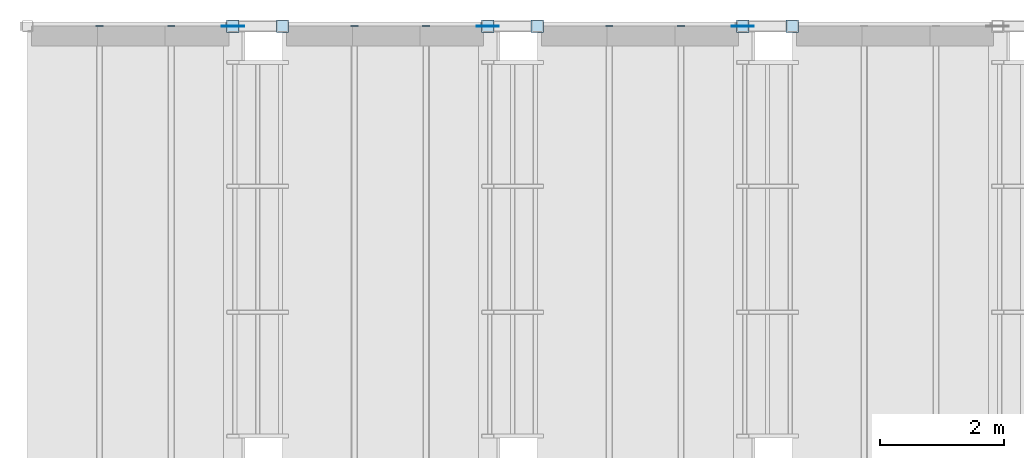
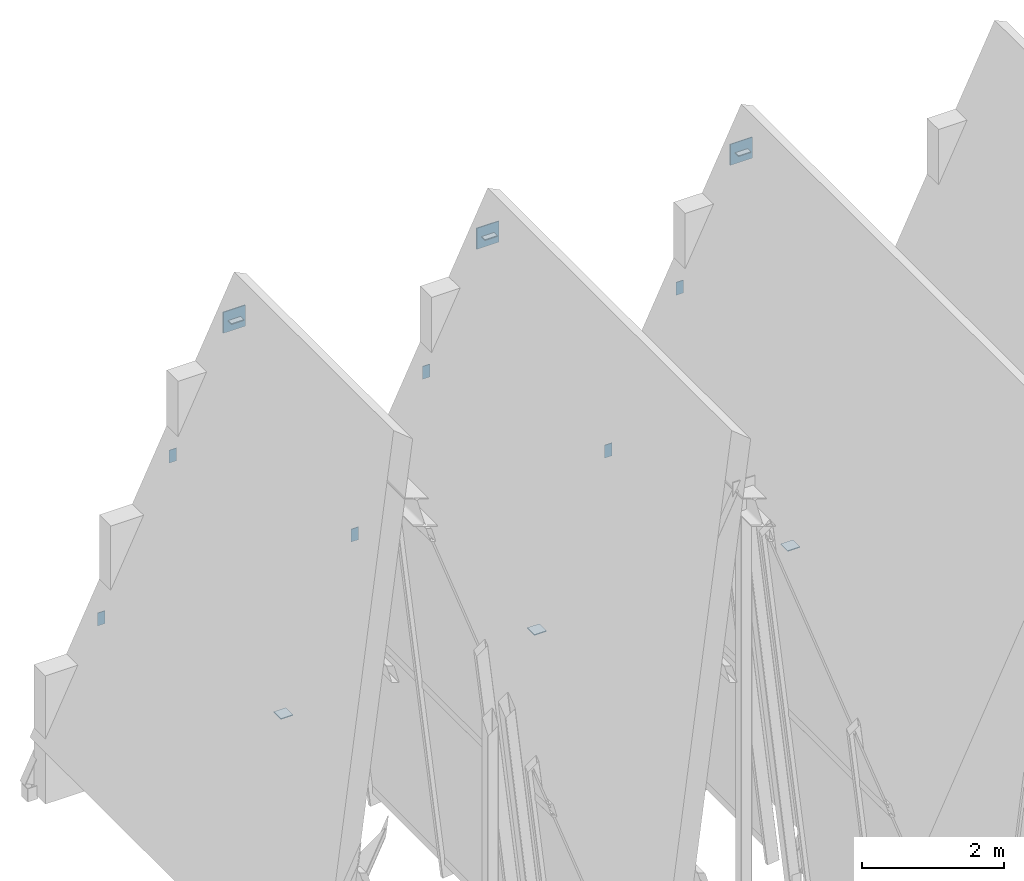
# One storey, part 24 of 28: 15 plates.
"""IFC4 building model written with IfcOpenShell, lengths in metres."""

import ifcopenshell
import ifcopenshell.guid

model = None  # the IFC model being written
_history = None  # IfcOwnerHistory: only IFC2X3 demands one
_inside = {}  # id of a spatial element -> (the spatial element, [elements in it])
_under = {}  # id of a project, library or spatial element -> (it, [spatial elements below it])
_declared = {}  # id of a project -> (the project, [libraries it declares])
_typed = {}  # id of a type object -> (the type object, [elements of that type])
_made_of = {}  # id of a material, layer set ... -> (it, [elements and type objects made of it])


def new_model(schema):
    """Start an empty IFC model of exactly this schema.

    Asked for "IFC4X3", IfcOpenShell would pick the latest addendum, in which some entities
    have other attributes; the version numbers below select the first issue.
    IFC2X3 requires an IfcOwnerHistory on every rooted entity: one is made here for all.
    """
    global model, _history
    if schema == "IFC4X3":
        model = ifcopenshell.file(schema_version=(4, 3, 0, 0))
    else:
        model = ifcopenshell.file(schema=schema)
    _inside.clear()
    _under.clear()
    _declared.clear()
    _typed.clear()
    _made_of.clear()
    _history = None
    if model.schema == "IFC2X3":
        org = make("IfcOrganization", Name="unknown")
        user = make(
            "IfcPersonAndOrganization",
            ThePerson=make("IfcPerson", FamilyName="unknown"),
            TheOrganization=org,
        )
        app = make(
            "IfcApplication",
            ApplicationDeveloper=org,
            Version="unknown",
            ApplicationFullName="unknown",
            ApplicationIdentifier="unknown",
        )
        _history = make(
            "IfcOwnerHistory",
            OwningUser=user,
            OwningApplication=app,
            ChangeAction="ADDED",
            CreationDate=0,
        )
    return model


def make(cls, **values):
    """One entity of the class cls with the attributes given. An attribute that is None is left unset."""
    return model.create_entity(
        cls, **{name: value for name, value in values.items() if value is not None}
    )


def rooted(cls, **values):
    """An entity with a GlobalId (a new one), such as an element, a storey or a relation."""
    return make(cls, GlobalId=ifcopenshell.guid.new(), OwnerHistory=_history, **values)


def si_unit(unit_type, name, prefix=None):
    """IfcSIUnit, for example si_unit("LENGTHUNIT", "METRE", prefix="MILLI")."""
    return make("IfcSIUnit", UnitType=unit_type, Prefix=prefix, Name=name)


def assignment(units):
    """IfcUnitAssignment: the units of a project."""
    return None if units is None else make("IfcUnitAssignment", Units=units)


def point(xyz):
    """IfcCartesianPoint."""
    return None if xyz is None else make("IfcCartesianPoint", Coordinates=xyz)


def direction(xyz):
    """IfcDirection."""
    return None if xyz is None else make("IfcDirection", DirectionRatios=xyz)


def frame(location, z_axis=None, x_axis=None):
    """IfcAxis2Placement3D, a coordinate frame: its origin and axes. An axis left out is left unset."""
    return make(
        "IfcAxis2Placement3D",
        Location=point(location),
        Axis=direction(z_axis),
        RefDirection=direction(x_axis),
    )


def frame_2d(location, x_axis=None):
    """IfcAxis2Placement2D, a coordinate frame in the plane: its origin and x axis."""
    return make(
        "IfcAxis2Placement2D", Location=point(location), RefDirection=direction(x_axis)
    )


def origin():
    """The frame at (0, 0, 0) with its axes left unset."""
    return frame((0.0, 0.0, 0.0))


def origin_2d():
    """The frame at (0, 0) in the plane with its x axis left unset."""
    return frame_2d((0.0, 0.0))


def place(relative_to, where):
    """IfcLocalPlacement: puts the frame where relative to a parent placement (None: the world)."""
    return make(
        "IfcLocalPlacement", PlacementRelTo=relative_to, RelativePlacement=where
    )


def context(
    kind, dimensions, precision=None, world=None, true_north=None, identifier=None
):
    """IfcGeometricRepresentationContext, for example the 3D "Model" context."""
    return make(
        "IfcGeometricRepresentationContext",
        ContextIdentifier=identifier,
        ContextType=kind,
        CoordinateSpaceDimension=dimensions,
        Precision=precision,
        WorldCoordinateSystem=world,
        TrueNorth=true_north,
    )


def subcontext(parent, identifier, kind, view, scale=None):
    """IfcGeometricRepresentationSubContext, for example "Body" below "Model"."""
    return make(
        "IfcGeometricRepresentationSubContext",
        ContextIdentifier=identifier,
        ContextType=kind,
        ParentContext=parent,
        TargetScale=scale,
        TargetView=view,
    )


def project(units=None, contexts=None):
    """IfcProject with its units and contexts."""
    return rooted(
        "IfcProject",
        Name="project",
        RepresentationContexts=contexts,
        UnitsInContext=assignment(units),
    )


def spatial(cls, under=None, at=None, **own):
    """A site, building, storey or space (cls), placed at a placement, below another one or the project."""
    s = rooted(cls, ObjectPlacement=at, **own)
    if under is not None:
        _under.setdefault(under.id(), (under, []))[1].append(s)
    return s


def profile(cls, at=None, kind="AREA", **sizes):
    """A parametric profile (cls). Its sizes go by their IFC names, for example OverallWidth=200.0."""
    return make(cls, ProfileType=kind, Position=at, **sizes)


def rectangle(**sizes):
    """IfcRectangleProfileDef."""
    return profile("IfcRectangleProfileDef", **sizes)


def extrude(swept, where, along, depth):
    """IfcExtrudedAreaSolid: the profile swept, set in the frame where, extruded along a direction by depth."""
    return make(
        "IfcExtrudedAreaSolid",
        SweptArea=swept,
        Position=where,
        ExtrudedDirection=direction(along),
        Depth=depth,
    )


def shape(context_of_items, identifier, shape_type, items):
    """IfcShapeRepresentation: the items that make up one representation, for example the "Body"."""
    return make(
        "IfcShapeRepresentation",
        ContextOfItems=context_of_items,
        RepresentationIdentifier=identifier,
        RepresentationType=shape_type,
        Items=items,
    )


def material(Name=None, Category=None):
    """IfcMaterial."""
    return make("IfcMaterial", Name=Name, Category=Category)


def layer(
    of_material, thickness, ventilated=None, Name=None, Category=None, Priority=None
):
    """IfcMaterialLayer: one layer of a wall or slab, of a material (None: an air gap)."""
    return make(
        "IfcMaterialLayer",
        Material=of_material,
        LayerThickness=thickness,
        IsVentilated=ventilated,
        Name=Name,
        Category=Category,
        Priority=Priority,
    )


def layer_set(layers, Name=None):
    """IfcMaterialLayerSet."""
    return make("IfcMaterialLayerSet", MaterialLayers=layers, LayerSetName=Name)


def made_of(thing, what):
    """Note that an element or type object is made of a material, layer set ...; save() writes the relation."""
    if what is not None:
        _made_of.setdefault(what.id(), (what, []))[1].append(thing)
    return thing


def type_object(cls, material=None, **own):
    """A type object (cls), such as IfcWallType, which elements share."""
    return made_of(rooted(cls, **own), material)


def element(
    cls,
    number,
    at=None,
    inside=None,
    cuts=None,
    type_object=None,
    material=None,
    context=None,
    identifier="Body",
    shape_type=None,
    held_by="IfcProductDefinitionShape",
    body=None,
    shapes=None,
    **own,
):
    """One element of the class cls, such as IfcWall. Its Tag is "e" and its number.

    at: its placement. inside: the storey or other place that contains it. cuts: it is an
    opening in that element (IfcRelVoidsElement). A single representation is given by context,
    identifier, shape_type and body (its items); several are given by shapes. held_by: the class
    of the entity that holds the representations. save() writes the other relations.
    """
    e = rooted(cls, Tag="e%d" % number, ObjectPlacement=at, **own)
    if body is not None:
        shapes = [shape(context, identifier, shape_type, body)]
    if shapes is not None:
        e.Representation = make(held_by, Representations=shapes)
    if inside is not None:
        _inside.setdefault(inside.id(), (inside, []))[1].append(e)
    if cuts is not None:
        rooted(
            "IfcRelVoidsElement", RelatingBuildingElement=cuts, RelatedOpeningElement=e
        )
    if type_object is not None:
        _typed.setdefault(type_object.id(), (type_object, []))[1].append(e)
    return made_of(e, material)


def aggregate(whole, parts):
    """IfcRelAggregates: a whole, such as a stair, and the parts it consists of."""
    return rooted("IfcRelAggregates", RelatingObject=whole, RelatedObjects=parts)


def save(model, path):
    """Write the relations noted so far, then the file.

    IfcRelAggregates (storeys below a building ...), IfcRelContainedInSpatialStructure (elements
    in a storey), IfcRelDefinesByType, IfcRelAssociatesMaterial and IfcRelDeclares: one each for
    every whole, place, type object, material and project.
    """
    for whole, parts in _under.values():
        aggregate(whole, parts)
    for where, things in _inside.values():
        rooted(
            "IfcRelContainedInSpatialStructure",
            RelatedElements=things,
            RelatingStructure=where,
        )
    for kind, things in _typed.values():
        rooted("IfcRelDefinesByType", RelatedObjects=things, RelatingType=kind)
    for what, things in _made_of.values():
        rooted("IfcRelAssociatesMaterial", RelatedObjects=things, RelatingMaterial=what)
    for by, libraries in _declared.values():
        rooted("IfcRelDeclares", RelatingContext=by, RelatedDefinitions=libraries)
    model.write(path)


model = new_model("IFC4")

# Units and contexts
model_context = context("Model", 3, precision=1e-05, world=origin(), true_north=direction((0.0, 1.0)))
body_context = subcontext(model_context, "Body", "Model", "MODEL_VIEW")
ifc_project = project(units=[si_unit("LENGTHUNIT", "METRE"), si_unit("AREAUNIT", "SQUARE_METRE"), si_unit("VOLUMEUNIT", "CUBIC_METRE"), si_unit("PLANEANGLEUNIT", "RADIAN"), si_unit("MASSUNIT", "GRAM", prefix="KILO")], contexts=[model_context])

# Site, building, storey
site_placement = place(None, origin())
site = spatial("IfcSite", under=ifc_project, at=site_placement, CompositionType="ELEMENT")
building_placement = place(site_placement, origin())
building = spatial("IfcBuilding", under=site, at=building_placement, Name="Bramveld Media Centre", CompositionType="ELEMENT")
storey_placement = place(building_placement, frame((0.0, 0.0, 33.89990234375)))
storey = spatial("IfcBuildingStorey", under=building, at=storey_placement, Name="ROOF", CompositionType="ELEMENT", Elevation=33.89990234375)

# Plates
ifc_material_1 = material(Name="Steel S355J2", Category="steel")
ifc_layer_1 = layer(ifc_material_1, 0.010009765625)
ifc_layer_set_1 = layer_set([ifc_layer_1], Name="Steel S355J2")
plate_type_1 = type_object("IfcPlateType", Name="PLT-CAP-10", PredefinedType="USERDEFINED", material=ifc_layer_set_1)
for number, where, z_axis, x_axis, name in (
    (1, (132.360107421875, 112.0, 2.61083984375), (0.0, 1.0, 0.0), (-1.0, 0.0, 0.0), "Hollow section end cap plate CAP-CPURL-B01-35-N"),
    (2, (133.52001953125, 112.0, 4.997802734375), (0.0, 1.0, 0.0), (-1.0, 0.0, 0.0), "Hollow section end cap plate CAP-CPURL-B01-70-N"),
    (3, (136.474365234375, 112.0, 2.61083984375), (0.0, 1.0, 0.0), (-1.0, 0.0, 0.0), "Hollow section end cap plate CAP-CPURL-B02-35-N"),
    (4, (137.63427734375, 112.0, 4.997802734375), (0.0, 1.0, 0.0), (-1.0, 0.0, 0.0), "Hollow section end cap plate CAP-CPURL-B02-70-N"),
    (5, (140.588623046875, 112.0, 2.61083984375), (0.0, 1.0, 0.0), (-1.0, 0.0, 0.0), "Hollow section end cap plate CAP-CPURL-B03-35-N"),
    (6, (141.74853515625, 112.0, 4.997802734375), (0.0, 1.0, 0.0), (-1.0, 0.0, 0.0), "Hollow section end cap plate CAP-CPURL-B03-70-N"),
):
    element("IfcPlate", number, at=place(storey_placement, frame(where, z_axis=z_axis, x_axis=x_axis)), inside=storey, type_object=plate_type_1, Name=name, ObjectType="CAP PLATE", PredefinedType="USERDEFINED", context=body_context, shape_type="SweptSolid", body=[
        extrude(rectangle(XDim=0.1201171875, YDim=0.219970703125, at=origin_2d()), origin(), (0.0, 0.0, 1.0), 0.010009765625),
    ])
ifc_material_2 = material(Name="Steel S355J2", Category="steel")
ifc_layer_2 = layer(ifc_material_2, 0.013916015625)
ifc_layer_set_2 = layer_set([ifc_layer_2], Name="Steel S355J2")
plate_type_2 = type_object("IfcPlateType", Name="PLT-CAP-14", PredefinedType="USERDEFINED", material=ifc_layer_set_2)
for number, where, z_axis, x_axis, name in (
    (7, (134.513427734375, 112.0, 6.99462890625), (0.0, 0.0, 1.0), (1.0, 0.0, 0.0), "Hollow section end cap plate CAP-CRN-FR-B01-F5"),
    (8, (135.315185546875, 112.0, -0.0498046875), (0.0, 0.0, -1.0), (1.0, 0.0, 0.0), "Hollow section end cap plate CAP-CRN-FR-B01-F5-R"),
    (9, (138.627685546875, 112.0, 6.99462890625), (0.0, 0.0, 1.0), (1.0, 0.0, 0.0), "Hollow section end cap plate CAP-CRN-FR-B02-F5"),
    (10, (139.429443359375, 112.0, -0.0498046875), (0.0, 0.0, -1.0), (1.0, 0.0, 0.0), "Hollow section end cap plate CAP-CRN-FR-B02-F5-R"),
    (11, (142.7421875, 112.0, 6.99462890625), (0.0, 0.0, 1.0), (1.0, 0.0, 0.0), "Hollow section end cap plate CAP-CRN-FR-B03-F5"),
    (12, (143.543701171875, 112.0, -0.0498046875), (0.0, 0.0, -1.0), (1.0, 0.0, 0.0), "Hollow section end cap plate CAP-CRN-FR-B03-F5-R"),
):
    element("IfcPlate", number, at=place(storey_placement, frame(where, z_axis=z_axis, x_axis=x_axis)), inside=storey, type_object=plate_type_2, Name=name, ObjectType="CAP PLATE", PredefinedType="USERDEFINED", context=body_context, shape_type="SweptSolid", body=[
        extrude(rectangle(XDim=0.199951171875, YDim=0.199951171875, at=origin_2d()), origin(), (0.0, 0.0, 1.0), 0.013916015625),
    ])
ifc_material_3 = material(Name="Steel S355J2", Category="steel")
ifc_layer_3 = layer(ifc_material_3, 0.01611328125)
ifc_layer_set_3 = layer_set([ifc_layer_3], Name="Steel S355J2")
plate_type_3 = type_object("IfcPlateType", Name="PLT-GUSSET-CRN16", PredefinedType="USERDEFINED", material=ifc_layer_set_3)
for number, where, z_axis, x_axis, name in (
    (13, (134.514404296875, 112.0, 6.81494140625), (0.0, 0.0, 1.0), (1.0, 0.0, 0.0), "CRN-FR-B01-F5 ridge gusset plate"),
    (14, (138.628662109375, 112.0, 6.81494140625), (0.0, 0.0, 1.0), (1.0, 0.0, 0.0), "CRN-FR-B02-F5 ridge gusset plate"),
    (15, (142.742919921875, 112.0, 6.81494140625), (0.0, 0.0, 1.0), (1.0, 0.0, 0.0), "CRN-FR-B03-F5 ridge gusset plate"),
):
    element("IfcPlate", number, at=place(storey_placement, frame(where, z_axis=z_axis, x_axis=x_axis)), inside=storey, type_object=plate_type_3, Name=name, ObjectType="GUSSET PLATE", PredefinedType="USERDEFINED", context=body_context, shape_type="SweptSolid", body=[
        extrude(rectangle(XDim=0.360107421875, YDim=0.01611328125, at=origin_2d()), origin(), (0.0, 0.0, 1.0), 0.360107421875),
    ])

save(model, "model.ifc")
